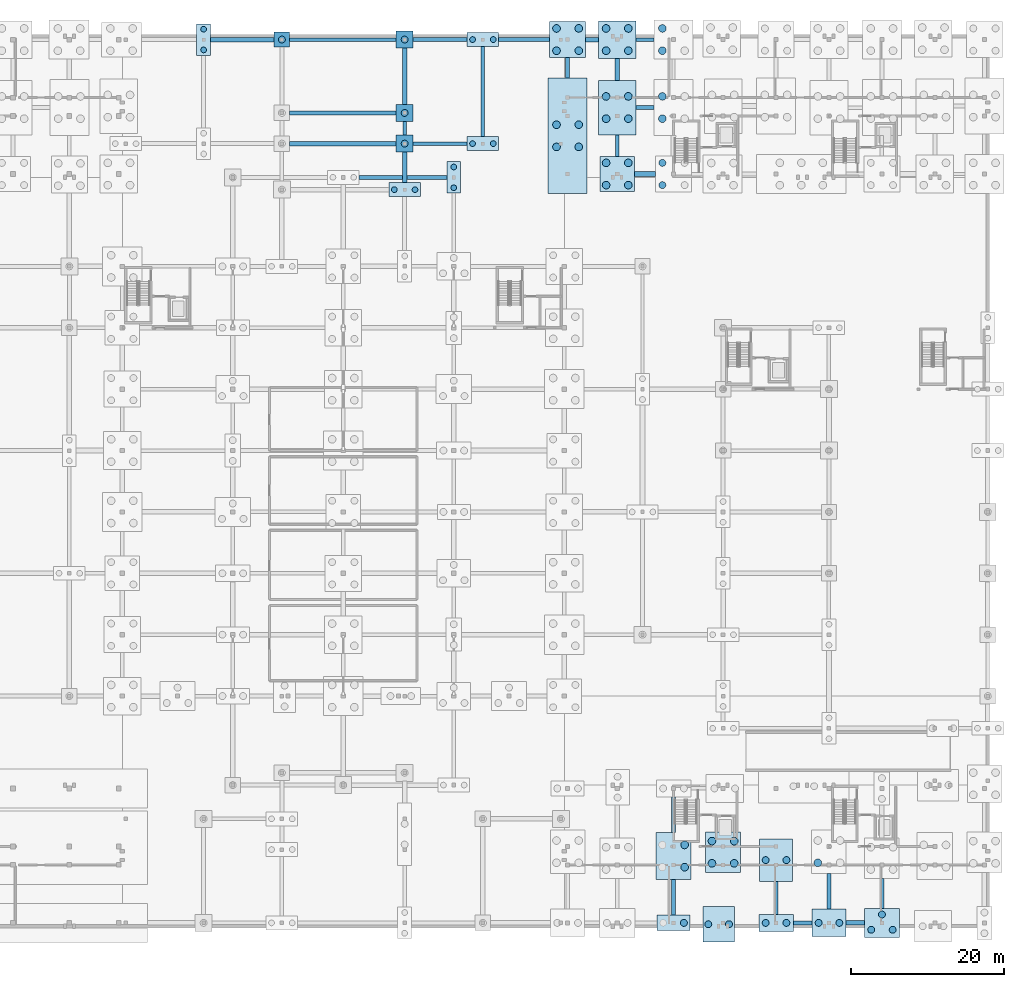
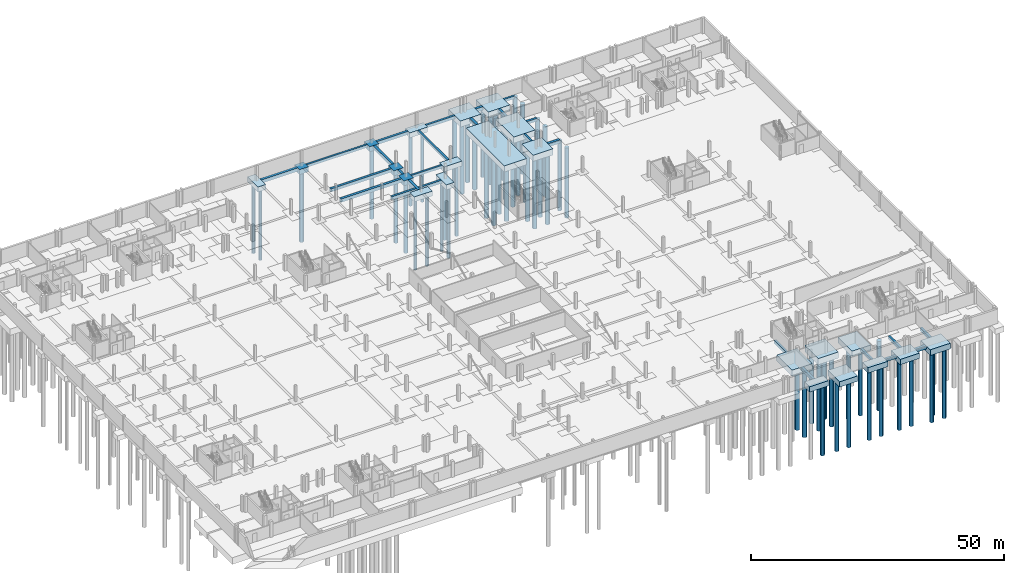
# One storey, part 8 of 38: 59 piles, 48 footings.
"""IFC4 building model written with IfcOpenShell, lengths in metres."""

from ifc_helpers import new_model, si_unit, direction, frame, origin, origin_2d, place, context, subcontext, project, spatial, rectangle, circle, extrude, material, material_profile, profile_set, type_object, element, save


model = new_model("IFC4")

# Units and contexts
model_context = context("Model", 3, precision=1e-05, world=origin(), true_north=direction((0.0, 1.0)))
body_context = subcontext(model_context, "Body", "Model", "MODEL_VIEW")
ifc_project = project(units=[si_unit("LENGTHUNIT", "METRE"), si_unit("AREAUNIT", "SQUARE_METRE"), si_unit("VOLUMEUNIT", "CUBIC_METRE"), si_unit("PLANEANGLEUNIT", "RADIAN"), si_unit("MASSUNIT", "GRAM", prefix="KILO")], contexts=[model_context])

# Site, building, storey
site_placement = place(None, origin())
site = spatial("IfcSite", under=ifc_project, at=site_placement, CompositionType="ELEMENT")
building_placement = place(site_placement, origin())
building = spatial("IfcBuilding", under=site, at=building_placement, Name="Zavelmont Quarter", CompositionType="ELEMENT")
storey_placement = place(building_placement, frame((0.0, 0.0, -3.800048828125)))
storey = spatial("IfcBuildingStorey", under=building, at=storey_placement, Name="B01", CompositionType="ELEMENT", Elevation=-3.800048828125)

# Footings
ifc_material = material(Name="Concrete C35/45", Category="concrete")
footing_type_1 = type_object("IfcFootingType", Name="GB01", PredefinedType="FOOTING_BEAM", material=ifc_material)
footing_1_placement = place(storey_placement, frame((143.875, 0.43994140625, -0.69970703125), z_axis=(0.0, 0.0, 1.0), x_axis=(1.0, 0.0, 0.0)))
element("IfcFooting", 1, at=footing_1_placement, inside=storey, type_object=footing_type_1, Name="B01 ground beam GB01 at 22/A", PredefinedType="FOOTING_BEAM", context=body_context, shape_type="SweptSolid", body=[
    extrude(rectangle(XDim=2.449951171875, YDim=0.5, at=origin_2d()), origin(), (0.0, 0.0, 1.0), 0.699951171875),
])
footing_2_placement = place(storey_placement, frame((91.77490234375, 97.60009765625, -0.69970703125), z_axis=(0.0, 0.0, 1.0), x_axis=(1.0, 0.0, 0.0)))
element("IfcFooting", 2, at=footing_2_placement, inside=storey, type_object=footing_type_1, Name="B01 ground beam GB01 at 14/P", PredefinedType="FOOTING_BEAM", context=body_context, shape_type="SweptSolid", body=[
    extrude(rectangle(XDim=11.449951171875, YDim=0.5, at=origin_2d()), origin(), (0.0, 0.0, 1.0), 0.699951171875),
])
footing_3_placement = place(storey_placement, frame((123.320068359375, 106.699951171875, -0.69970703125), z_axis=(0.0, 0.0, 1.0), x_axis=(1.0, 0.0, 0.0)))
element("IfcFooting", 3, at=footing_3_placement, inside=storey, type_object=footing_type_1, Name="B01 ground beam GB01 at 19/Q", PredefinedType="FOOTING_BEAM", context=body_context, shape_type="SweptSolid", body=[
    extrude(rectangle(XDim=2.340087890625, YDim=0.5, at=origin_2d()), origin(), (0.0, 0.0, 1.0), 0.699951171875),
])
footing_4_placement = place(storey_placement, frame((107.570068359375, 115.56005859375, -0.69970703125), z_axis=(0.0, 0.0, 1.0), x_axis=(1.0, 0.0, 0.0)))
element("IfcFooting", 4, at=footing_4_placement, inside=storey, type_object=footing_type_1, Name="B01 ground beam GB01 at 16/S", PredefinedType="FOOTING_BEAM", context=body_context, shape_type="SweptSolid", body=[
    extrude(rectangle(XDim=6.639892578125, YDim=0.5, at=origin_2d()), origin(), (0.0, 0.0, 1.0), 0.699951171875),
])
for number, where, z_axis, x_axis, name in (
    (5, (127.0400390625, 14.530029296875, -0.69970703125), (0.0, 0.0, 1.0), (0.0, 1.0, 0.0), "B01 ground beam GB01 at 19/D"),
    (6, (147.300048828125, 4.570068359375, -0.69970703125), (0.0, 0.0, 1.0), (0.0, 1.0, 0.0), "B01 ground beam GB01 at 22/B"),
):
    element("IfcFooting", number, at=place(storey_placement, frame(where, z_axis=z_axis, x_axis=x_axis)), inside=storey, type_object=footing_type_1, Name=name, PredefinedType="FOOTING_BEAM", context=body_context, shape_type="SweptSolid", body=[
        extrude(rectangle(XDim=4.659912109375, YDim=0.5, at=origin_2d()), origin(), (0.0, 0.0, 1.0), 0.699951171875),
    ])
footing_5_placement = place(storey_placement, frame((154.199951171875, 4.27001953125, -0.69970703125), z_axis=(0.0, 0.0, 1.0), x_axis=(0.0, 1.0, 0.0)))
element("IfcFooting", 7, at=footing_5_placement, inside=storey, type_object=footing_type_1, Name="B01 ground beam GB01 at 23/B", PredefinedType="FOOTING_BEAM", context=body_context, shape_type="SweptSolid", body=[
    extrude(rectangle(XDim=3.860107421875, YDim=0.5, at=origin_2d()), origin(), (0.0, 0.0, 1.0), 0.699951171875),
])
footing_type_2 = type_object("IfcFootingType", Name="GB02", PredefinedType="FOOTING_BEAM", material=ifc_material)
footing_6_placement = place(storey_placement, frame((150.699951171875, 0.43994140625, -0.7998046875), z_axis=(0.0, 0.0, 1.0), x_axis=(1.0, 0.0, 0.0)))
element("IfcFooting", 8, at=footing_6_placement, inside=storey, type_object=footing_type_2, Name="B01 ground beam GB02 at 22/A", PredefinedType="FOOTING_BEAM", context=body_context, shape_type="SweptSolid", body=[
    extrude(rectangle(XDim=2.39990234375, YDim=0.60009765625, at=origin_2d()), origin(), (0.0, 0.0, 1.0), 0.800048828125),
])
footing_7_placement = place(storey_placement, frame((123.320068359375, 98.0400390625, -0.7998046875), z_axis=(0.0, 0.0, 1.0), x_axis=(1.0, 0.0, 0.0)))
element("IfcFooting", 9, at=footing_7_placement, inside=storey, type_object=footing_type_2, Name="B01 ground beam GB02 at 19/P", PredefinedType="FOOTING_BEAM", context=body_context, shape_type="SweptSolid", body=[
    extrude(rectangle(XDim=2.739990234375, YDim=0.60009765625, at=origin_2d()), origin(), (0.0, 0.0, 1.0), 0.800048828125),
])
footing_8_placement = place(storey_placement, frame((83.949951171875, 102.0, -0.7998046875), z_axis=(0.0, 0.0, 1.0), x_axis=(1.0, 0.0, 0.0)))
element("IfcFooting", 10, at=footing_8_placement, inside=storey, type_object=footing_type_2, Name="B01 ground beam GB02 at 13/Q", PredefinedType="FOOTING_BEAM", context=body_context, shape_type="SweptSolid", body=[
    extrude(rectangle(XDim=13.89990234375, YDim=0.60009765625, at=origin_2d()), origin(), (0.0, 0.0, 1.0), 0.800048828125),
])
footing_9_placement = place(storey_placement, frame((70.85009765625, 115.56005859375, -0.7998046875), z_axis=(0.0, 0.0, 1.0), x_axis=(1.0, 0.0, 0.0)))
element("IfcFooting", 11, at=footing_9_placement, inside=storey, type_object=footing_type_2, Name="B01 ground beam GB02 at 11/S", PredefinedType="FOOTING_BEAM", context=body_context, shape_type="SweptSolid", body=[
    extrude(rectangle(XDim=8.300048828125, YDim=0.60009765625, at=origin_2d()), origin(), (0.0, 0.0, 1.0), 0.800048828125),
])
footing_10_placement = place(storey_placement, frame((116.419921875, 115.56005859375, -0.7998046875), z_axis=(0.0, 0.0, 1.0), x_axis=(1.0, 0.0, 0.0)))
element("IfcFooting", 12, at=footing_10_placement, inside=storey, type_object=footing_type_2, Name="B01 ground beam GB02 at 18/S", PredefinedType="FOOTING_BEAM", context=body_context, shape_type="SweptSolid", body=[
    extrude(rectangle(XDim=1.659912109375, YDim=0.60009765625, at=origin_2d()), origin(), (0.0, 0.0, 1.0), 0.800048828125),
])
footing_11_placement = place(storey_placement, frame((92.0, 98.89990234375, -0.7998046875), z_axis=(0.0, 0.0, 1.0), x_axis=(0.0, 1.0, 0.0)))
element("IfcFooting", 13, at=footing_11_placement, inside=storey, type_object=footing_type_2, Name="B01 ground beam GB02 at 14/P", PredefinedType="FOOTING_BEAM", context=body_context, shape_type="SweptSolid", body=[
    extrude(rectangle(XDim=4.0, YDim=0.60009765625, at=origin_2d()), origin(), (0.0, 0.0, 1.0), 0.800048828125),
])
footing_type_3 = type_object("IfcFootingType", Name="GB03", PredefinedType="FOOTING_BEAM", material=ifc_material)
footing_12_placement = place(storey_placement, frame((96.625, 102.0, -0.64990234375), z_axis=(0.0, 0.0, 1.0), x_axis=(1.0, 0.0, 0.0)))
element("IfcFooting", 14, at=footing_12_placement, inside=storey, type_object=footing_type_3, Name="B01 ground beam GB03 at 15/Q", PredefinedType="FOOTING_BEAM", context=body_context, shape_type="SweptSolid", body=[
    extrude(rectangle(XDim=7.050048828125, YDim=0.449951171875, at=origin_2d()), origin(), (0.0, 0.0, 1.0), 0.64990234375),
])
footing_13_placement = place(storey_placement, frame((83.949951171875, 115.56005859375, -0.64990234375), z_axis=(0.0, 0.0, 1.0), x_axis=(1.0, 0.0, 0.0)))
element("IfcFooting", 15, at=footing_13_placement, inside=storey, type_object=footing_type_3, Name="B01 ground beam GB03 at 13/S", PredefinedType="FOOTING_BEAM", context=body_context, shape_type="SweptSolid", body=[
    extrude(rectangle(XDim=13.89990234375, YDim=0.449951171875, at=origin_2d()), origin(), (0.0, 0.0, 1.0), 0.64990234375),
])
footing_14_placement = place(storey_placement, frame((123.320068359375, 115.56005859375, -0.64990234375), z_axis=(0.0, 0.0, 1.0), x_axis=(1.0, 0.0, 0.0)))
element("IfcFooting", 16, at=footing_14_placement, inside=storey, type_object=footing_type_3, Name="B01 ground beam GB03 at 19/S", PredefinedType="FOOTING_BEAM", context=body_context, shape_type="SweptSolid", body=[
    extrude(rectangle(XDim=2.340087890625, YDim=0.449951171875, at=origin_2d()), origin(), (0.0, 0.0, 1.0), 0.64990234375),
])
footing_15_placement = place(storey_placement, frame((92.0, 104.0, -0.64990234375), z_axis=(0.0, 0.0, 1.0), x_axis=(0.0, 1.0, 0.0)))
element("IfcFooting", 17, at=footing_15_placement, inside=storey, type_object=footing_type_3, Name="B01 ground beam GB03 at 14/Q", PredefinedType="FOOTING_BEAM", context=body_context, shape_type="SweptSolid", body=[
    extrude(rectangle(XDim=1.800048828125, YDim=0.449951171875, at=origin_2d()), origin(), (0.0, 0.0, 1.0), 0.64990234375),
])
footing_16_placement = place(storey_placement, frame((102.199951171875, 108.780029296875, -0.64990234375), z_axis=(0.0, 0.0, 1.0), x_axis=(0.0, 1.0, 0.0)))
element("IfcFooting", 18, at=footing_16_placement, inside=storey, type_object=footing_type_3, Name="B01 ground beam GB03 at 16/R", PredefinedType="FOOTING_BEAM", context=body_context, shape_type="SweptSolid", body=[
    extrude(rectangle(XDim=11.760009765625, YDim=0.449951171875, at=origin_2d()), origin(), (0.0, 0.0, 1.0), 0.64990234375),
])
footing_17_placement = place(storey_placement, frame((119.699951171875, 101.719970703125, -0.64990234375), z_axis=(0.0, 0.0, 1.0), x_axis=(0.0, 1.0, 0.0)))
element("IfcFooting", 19, at=footing_17_placement, inside=storey, type_object=footing_type_3, Name="B01 ground beam GB03 at 18/Q", PredefinedType="FOOTING_BEAM", context=body_context, shape_type="SweptSolid", body=[
    extrude(rectangle(XDim=2.860107421875, YDim=0.449951171875, at=origin_2d()), origin(), (0.0, 0.0, 1.0), 0.64990234375),
])
footing_18_placement = place(storey_placement, frame((140.39990234375, 3.695068359375, -0.64990234375), z_axis=(0.0, 0.0, 1.0), x_axis=(0.0, 1.0, 0.0)))
element("IfcFooting", 20, at=footing_18_placement, inside=storey, type_object=footing_type_3, Name="B01 ground beam GB03 at 21/A", PredefinedType="FOOTING_BEAM", context=body_context, shape_type="SweptSolid", body=[
    extrude(rectangle(XDim=4.31005859375, YDim=0.449951171875, at=origin_2d()), origin(), (0.0, 0.0, 1.0), 0.64990234375),
])
footing_type_4 = type_object("IfcFootingType", Name="GB04", PredefinedType="FOOTING_BEAM", material=ifc_material)
footing_19_placement = place(storey_placement, frame((83.949951171875, 106.0, -0.75), z_axis=(0.0, 0.0, 1.0), x_axis=(1.0, 0.0, 0.0)))
element("IfcFooting", 21, at=footing_19_placement, inside=storey, type_object=footing_type_4, Name="B01 ground beam GB04 at 13/Q", PredefinedType="FOOTING_BEAM", context=body_context, shape_type="SweptSolid", body=[
    extrude(rectangle(XDim=13.89990234375, YDim=0.550048828125, at=origin_2d()), origin(), (0.0, 0.0, 1.0), 0.75),
])
footing_20_placement = place(storey_placement, frame((96.625, 115.56005859375, -0.75), z_axis=(0.0, 0.0, 1.0), x_axis=(1.0, 0.0, 0.0)))
element("IfcFooting", 22, at=footing_20_placement, inside=storey, type_object=footing_type_4, Name="B01 ground beam GB04 at 15/S", PredefinedType="FOOTING_BEAM", context=body_context, shape_type="SweptSolid", body=[
    extrude(rectangle(XDim=7.050048828125, YDim=0.550048828125, at=origin_2d()), origin(), (0.0, 0.0, 1.0), 0.75),
])
footing_21_placement = place(storey_placement, frame((92.0, 110.780029296875, -0.75), z_axis=(0.0, 0.0, 1.0), x_axis=(0.0, 1.0, 0.0)))
element("IfcFooting", 23, at=footing_21_placement, inside=storey, type_object=footing_type_4, Name="B01 ground beam GB04 at 14/R", PredefinedType="FOOTING_BEAM", context=body_context, shape_type="SweptSolid", body=[
    extrude(rectangle(XDim=7.360107421875, YDim=0.550048828125, at=origin_2d()), origin(), (0.0, 0.0, 1.0), 0.75),
])
footing_22_placement = place(storey_placement, frame((113.239990234375, 111.8798828125, -0.75), z_axis=(0.0, 0.0, 1.0), x_axis=(0.0, 1.0, 0.0)))
element("IfcFooting", 24, at=footing_22_placement, inside=storey, type_object=footing_type_4, Name="B01 ground beam GB04 at 17/R", PredefinedType="FOOTING_BEAM", context=body_context, shape_type="SweptSolid", body=[
    extrude(rectangle(XDim=2.659912109375, YDim=0.550048828125, at=origin_2d()), origin(), (0.0, 0.0, 1.0), 0.75),
])
footing_23_placement = place(storey_placement, frame((119.699951171875, 111.679931640625, -0.75), z_axis=(0.0, 0.0, 1.0), x_axis=(0.0, 1.0, 0.0)))
element("IfcFooting", 25, at=footing_23_placement, inside=storey, type_object=footing_type_4, Name="B01 ground beam GB04 at 18/R", PredefinedType="FOOTING_BEAM", context=body_context, shape_type="SweptSolid", body=[
    extrude(rectangle(XDim=2.860107421875, YDim=0.550048828125, at=origin_2d()), origin(), (0.0, 0.0, 1.0), 0.75),
])
footing_24_placement = place(storey_placement, frame((127.0400390625, 3.77001953125, -0.75), z_axis=(0.0, 0.0, 1.0), x_axis=(0.0, 1.0, 0.0)))
element("IfcFooting", 26, at=footing_24_placement, inside=storey, type_object=footing_type_4, Name="B01 ground beam GB04 at 19/A", PredefinedType="FOOTING_BEAM", context=body_context, shape_type="SweptSolid", body=[
    extrude(rectangle(XDim=4.659912109375, YDim=0.550048828125, at=origin_2d()), origin(), (0.0, 0.0, 1.0), 0.75),
])

# Piles
ifc_material_profile_1 = material_profile(ifc_material, circle(Radius=0.5, at=origin_2d()), Name="BP1000")
ifc_profile_set_1 = profile_set([ifc_material_profile_1], Name="Concrete C35/45")
pile_type_1 = type_object("IfcPileType", Name="P01", PredefinedType="BORED", material=ifc_profile_set_1)
for number, where, z_axis, x_axis, name in (
    (27, (128.489990234375, 7.699951171875, -1.39990234375), (0.0, 0.0, -1.0), (1.0, 0.0, 0.0), "B01 bored pile P01 under CAP-018.2"),
    (28, (128.489990234375, 10.60009765625, -1.39990234375), (0.0, 0.0, -1.0), (1.0, 0.0, 0.0), "B01 bored pile P01 under CAP-018.3"),
    (29, (132.050048828125, 8.199951171875, -1.39990234375), (0.0, 0.0, -1.0), (1.0, 0.0, 0.0), "B01 bored pile P01 under CAP-020.1"),
    (30, (134.949951171875, 8.199951171875, -1.39990234375), (0.0, 0.0, -1.0), (1.0, 0.0, 0.0), "B01 bored pile P01 under CAP-020.2"),
    (31, (134.949951171875, 11.10009765625, -1.39990234375), (0.0, 0.0, -1.0), (1.0, 0.0, 0.0), "B01 bored pile P01 under CAP-020.3"),
    (32, (132.050048828125, 11.10009765625, -1.39990234375), (0.0, 0.0, -1.0), (1.0, 0.0, 0.0), "B01 bored pile P01 under CAP-020.4"),
    (33, (145.85009765625, 8.27490234375, -1.39990234375), (0.0, 0.0, -1.0), (1.0, 0.0, 0.0), "B01 bored pile P01 under CAP-023.1"),
    (34, (118.25, 96.590087890625, -1.39990234375), (0.0, 0.0, -1.0), (1.0, 0.0, 0.0), "B01 bored pile P01 under CAP-175.1"),
    (35, (121.14990234375, 96.590087890625, -1.39990234375), (0.0, 0.0, -1.0), (1.0, 0.0, 0.0), "B01 bored pile P01 under CAP-175.2"),
    (36, (121.14990234375, 99.489990234375, -1.39990234375), (0.0, 0.0, -1.0), (1.0, 0.0, 0.0), "B01 bored pile P01 under CAP-175.3"),
    (37, (118.25, 99.489990234375, -1.39990234375), (0.0, 0.0, -1.0), (1.0, 0.0, 0.0), "B01 bored pile P01 under CAP-175.4"),
    (38, (111.7900390625, 101.570068359375, -1.39990234375), (0.0, 0.0, -1.0), (1.0, 0.0, 0.0), "B01 bored pile P01 under CAP-186.1"),
    (39, (114.68994140625, 101.570068359375, -1.39990234375), (0.0, 0.0, -1.0), (1.0, 0.0, 0.0), "B01 bored pile P01 under CAP-186.2"),
    (40, (114.68994140625, 104.469970703125, -1.39990234375), (0.0, 0.0, -1.0), (1.0, 0.0, 0.0), "B01 bored pile P01 under CAP-186.3"),
    (41, (111.7900390625, 104.469970703125, -1.39990234375), (0.0, 0.0, -1.0), (1.0, 0.0, 0.0), "B01 bored pile P01 under CAP-186.4"),
    (42, (118.25, 105.25, -1.39990234375), (0.0, 0.0, -1.0), (1.0, 0.0, 0.0), "B01 bored pile P01 under CAP-193.1"),
    (43, (121.14990234375, 105.25, -1.39990234375), (0.0, 0.0, -1.0), (1.0, 0.0, 0.0), "B01 bored pile P01 under CAP-193.2"),
    (44, (121.14990234375, 108.14990234375, -1.39990234375), (0.0, 0.0, -1.0), (1.0, 0.0, 0.0), "B01 bored pile P01 under CAP-193.3"),
    (45, (118.25, 108.14990234375, -1.39990234375), (0.0, 0.0, -1.0), (1.0, 0.0, 0.0), "B01 bored pile P01 under CAP-193.4"),
    (46, (125.590087890625, 105.25, -1.39990234375), (0.0, 0.0, -1.0), (1.0, 0.0, 0.0), "B01 bored pile P01 under CAP-194.1"),
    (47, (125.590087890625, 108.14990234375, -1.39990234375), (0.0, 0.0, -1.0), (1.0, 0.0, 0.0), "B01 bored pile P01 under CAP-194.4"),
    (48, (111.7900390625, 114.110107421875, -1.39990234375), (0.0, 0.0, -1.0), (1.0, 0.0, 0.0), "B01 bored pile P01 under CAP-219.1"),
    (49, (114.68994140625, 114.110107421875, -1.39990234375), (0.0, 0.0, -1.0), (1.0, 0.0, 0.0), "B01 bored pile P01 under CAP-219.2"),
    (50, (114.68994140625, 117.010009765625, -1.39990234375), (0.0, 0.0, -1.0), (1.0, 0.0, 0.0), "B01 bored pile P01 under CAP-219.3"),
    (51, (111.7900390625, 117.010009765625, -1.39990234375), (0.0, 0.0, -1.0), (1.0, 0.0, 0.0), "B01 bored pile P01 under CAP-219.4"),
    (52, (118.25, 114.110107421875, -1.39990234375), (0.0, 0.0, -1.0), (1.0, 0.0, 0.0), "B01 bored pile P01 under CAP-220.1"),
    (53, (121.14990234375, 114.110107421875, -1.39990234375), (0.0, 0.0, -1.0), (1.0, 0.0, 0.0), "B01 bored pile P01 under CAP-220.2"),
    (54, (121.14990234375, 117.010009765625, -1.39990234375), (0.0, 0.0, -1.0), (1.0, 0.0, 0.0), "B01 bored pile P01 under CAP-220.3"),
    (55, (118.25, 117.010009765625, -1.39990234375), (0.0, 0.0, -1.0), (1.0, 0.0, 0.0), "B01 bored pile P01 under CAP-220.4"),
    (56, (125.590087890625, 114.110107421875, -1.39990234375), (0.0, 0.0, -1.0), (1.0, 0.0, 0.0), "B01 bored pile P01 under CAP-221.1"),
    (57, (125.590087890625, 117.010009765625, -1.39990234375), (0.0, 0.0, -1.0), (1.0, 0.0, 0.0), "B01 bored pile P01 under CAP-221.4"),
):
    element("IfcPile", number, at=place(storey_placement, frame(where, z_axis=z_axis, x_axis=x_axis)), inside=storey, type_object=pile_type_1, Name=name, PredefinedType="BORED", context=body_context, shape_type="SweptSolid", body=[
        extrude(circle(Radius=0.5, at=origin_2d()), origin(), (0.0, 0.0, 1.0), 16.800048828125),
    ])
ifc_material_profile_2 = material_profile(ifc_material, circle(Radius=0.449951171875, at=origin_2d()), Name="BP900")
ifc_profile_set_2 = profile_set([ifc_material_profile_2], Name="Concrete C35/45")
pile_type_2 = type_object("IfcPileType", Name="P02", PredefinedType="BORED", material=ifc_profile_set_2)
for number, where, z_axis, x_axis, name in (
    (58, (152.800048828125, -0.4599609375, -1.300048828125), (0.0, 0.0, -1.0), (1.0, 0.0, 0.0), "B01 bored pile P02 under CAP-013.1"),
    (59, (155.60009765625, -0.4599609375, -1.300048828125), (0.0, 0.0, -1.0), (1.0, 0.0, 0.0), "B01 bored pile P02 under CAP-013.2"),
    (60, (154.199951171875, 1.5400390625, -1.300048828125), (0.0, 0.0, -1.0), (1.0, 0.0, 0.0), "B01 bored pile P02 under CAP-013.3"),
    (61, (125.590087890625, 96.590087890625, -1.300048828125), (0.0, 0.0, -1.0), (1.0, 0.0, 0.0), "B01 bored pile P02 under CAP-176.1"),
    (62, (125.590087890625, 99.489990234375, -1.300048828125), (0.0, 0.0, -1.0), (1.0, 0.0, 0.0), "B01 bored pile P02 under CAP-176.4"),
):
    element("IfcPile", number, at=place(storey_placement, frame(where, z_axis=z_axis, x_axis=x_axis)), inside=storey, type_object=pile_type_2, Name=name, PredefinedType="BORED", context=body_context, shape_type="SweptSolid", body=[
        extrude(circle(Radius=0.449951171875, at=origin_2d()), origin(), (0.0, 0.0, 1.0), 16.89990234375),
    ])
ifc_material_profile_3 = material_profile(ifc_material, circle(Radius=0.449951171875, at=origin_2d()), Name="BP900")
ifc_profile_set_3 = profile_set([ifc_material_profile_3], Name="Concrete C35/45")
pile_type_3 = type_object("IfcPileType", Name="P03", PredefinedType="BORED", material=ifc_profile_set_3)
for number, where, z_axis, x_axis, name in (
    (63, (131.574951171875, 0.27001953125, -1.199951171875), (0.0, 0.0, -1.0), (1.0, 0.0, 0.0), "B01 bored pile P03 under CAP-002.1"),
    (64, (134.27490234375, 0.27001953125, -1.199951171875), (0.0, 0.0, -1.0), (1.0, 0.0, 0.0), "B01 bored pile P03 under CAP-002.2"),
    (65, (128.389892578125, 0.43994140625, -1.199951171875), (0.0, 0.0, -1.0), (1.0, 0.0, 0.0), "B01 bored pile P03 under CAP-010.2"),
    (66, (139.050048828125, 0.43994140625, -1.199951171875), (0.0, 0.0, -1.0), (1.0, 0.0, 0.0), "B01 bored pile P03 under CAP-011.1"),
    (67, (141.75, 0.43994140625, -1.199951171875), (0.0, 0.0, -1.0), (1.0, 0.0, 0.0), "B01 bored pile P03 under CAP-011.2"),
    (68, (145.949951171875, 0.43994140625, -1.199951171875), (0.0, 0.0, -1.0), (1.0, 0.0, 0.0), "B01 bored pile P03 under CAP-012.1"),
    (69, (148.64990234375, 0.43994140625, -1.199951171875), (0.0, 0.0, -1.0), (1.0, 0.0, 0.0), "B01 bored pile P03 under CAP-012.2"),
    (70, (139.050048828125, 8.625, -1.199951171875), (0.0, 0.0, -1.0), (1.0, 0.0, 0.0), "B01 bored pile P03 under CAP-015.1"),
    (71, (141.75, 8.625, -1.199951171875), (0.0, 0.0, -1.0), (1.0, 0.0, 0.0), "B01 bored pile P03 under CAP-015.2"),
):
    element("IfcPile", number, at=place(storey_placement, frame(where, z_axis=z_axis, x_axis=x_axis)), inside=storey, type_object=pile_type_3, Name=name, PredefinedType="BORED", context=body_context, shape_type="SweptSolid", body=[
        extrude(circle(Radius=0.449951171875, at=origin_2d()), origin(), (0.0, 0.0, 1.0), 17.0),
    ])
ifc_material_profile_4 = material_profile(ifc_material, circle(Radius=0.449951171875, at=origin_2d()), Name="BP900")
ifc_profile_set_4 = profile_set([ifc_material_profile_4], Name="Concrete C35/45")
pile_type_4 = type_object("IfcPileType", Name="P04", PredefinedType="BORED", material=ifc_profile_set_4)
for number, where, z_axis, x_axis, name in (
    (72, (92.0, 102.0, -1.099853515625), (0.0, 0.0, -1.0), (1.0, 0.0, 0.0), "B01 bored pile P04 under CAP-184.1"),
    (73, (92.0, 106.0, -1.099853515625), (0.0, 0.0, -1.0), (1.0, 0.0, 0.0), "B01 bored pile P04 under CAP-188.1"),
    (74, (76.0, 115.56005859375, -1.099853515625), (0.0, 0.0, -1.0), (1.0, 0.0, 0.0), "B01 bored pile P04 under CAP-216.1"),
    (75, (92.0, 115.56005859375, -1.099853515625), (0.0, 0.0, -1.0), (1.0, 0.0, 0.0), "B01 bored pile P04 under CAP-217.1"),
):
    element("IfcPile", number, at=place(storey_placement, frame(where, z_axis=z_axis, x_axis=x_axis)), inside=storey, type_object=pile_type_4, Name=name, PredefinedType="BORED", context=body_context, shape_type="SweptSolid", body=[
        extrude(circle(Radius=0.449951171875, at=origin_2d()), origin(), (0.0, 0.0, 1.0), 17.10009765625),
    ])
ifc_material_profile_5 = material_profile(ifc_material, circle(Radius=0.375, at=origin_2d()), Name="BP750")
ifc_profile_set_5 = profile_set([ifc_material_profile_5], Name="Concrete C35/45")
pile_type_5 = type_object("IfcPileType", Name="P05", PredefinedType="BORED", material=ifc_profile_set_5)
for number, where, z_axis, x_axis, name in (
    (76, (90.64990234375, 96.0, -1.099853515625), (0.0, 0.0, -1.0), (1.0, 0.0, 0.0), "B01 bored pile P05 under CAP-162.1"),
    (77, (93.35009765625, 96.0, -1.099853515625), (0.0, 0.0, -1.0), (1.0, 0.0, 0.0), "B01 bored pile P05 under CAP-162.2"),
    (78, (98.39990234375, 96.25, -1.099853515625), (0.0, 0.0, -1.0), (1.0, 0.0, 0.0), "B01 bored pile P05 under CAP-165.1"),
    (79, (98.39990234375, 98.949951171875, -1.099853515625), (0.0, 0.0, -1.0), (1.0, 0.0, 0.0), "B01 bored pile P05 under CAP-165.2"),
    (80, (100.85009765625, 102.0, -1.099853515625), (0.0, 0.0, -1.0), (1.0, 0.0, 0.0), "B01 bored pile P05 under CAP-185.1"),
    (81, (103.550048828125, 102.0, -1.099853515625), (0.0, 0.0, -1.0), (1.0, 0.0, 0.0), "B01 bored pile P05 under CAP-185.2"),
    (82, (65.800048828125, 114.2099609375, -1.099853515625), (0.0, 0.0, -1.0), (1.0, 0.0, 0.0), "B01 bored pile P05 under CAP-215.1"),
    (83, (65.800048828125, 116.909912109375, -1.099853515625), (0.0, 0.0, -1.0), (1.0, 0.0, 0.0), "B01 bored pile P05 under CAP-215.2"),
    (84, (100.85009765625, 115.56005859375, -1.099853515625), (0.0, 0.0, -1.0), (1.0, 0.0, 0.0), "B01 bored pile P05 under CAP-218.1"),
    (85, (103.550048828125, 115.56005859375, -1.099853515625), (0.0, 0.0, -1.0), (1.0, 0.0, 0.0), "B01 bored pile P05 under CAP-218.2"),
):
    element("IfcPile", number, at=place(storey_placement, frame(where, z_axis=z_axis, x_axis=x_axis)), inside=storey, type_object=pile_type_5, Name=name, PredefinedType="BORED", context=body_context, shape_type="SweptSolid", body=[
        extrude(circle(Radius=0.375, at=origin_2d()), origin(), (0.0, 0.0, 1.0), 17.10009765625),
    ])

# Footings
footing_type_5 = type_object("IfcFootingType", Name="PC03", PredefinedType="PILE_CAP", material=ifc_material)
footing_25_placement = place(storey_placement, frame((76.0, 115.56005859375, -1.19970703125), z_axis=(0.0, 0.0, 1.0), x_axis=(1.0, 0.0, 0.0)))
element("IfcFooting", 86, at=footing_25_placement, inside=storey, type_object=footing_type_5, Name="B01 pile cap PC03 at 12/S", PredefinedType="PILE_CAP", context=body_context, shape_type="SweptSolid", body=[
    extrude(rectangle(XDim=2.0, YDim=2.0, at=origin_2d()), origin(), (0.0, 0.0, 1.0), 1.199951171875),
])
footing_type_6 = type_object("IfcFootingType", Name="PC04", PredefinedType="PILE_CAP", material=ifc_material)
for number, where, z_axis, x_axis, name in (
    (87, (92.0, 102.0, -1.19970703125), (0.0, 0.0, 1.0), (1.0, 0.0, 0.0), "B01 pile cap PC04 at 14/Q"),
    (88, (92.0, 106.0, -1.19970703125), (0.0, 0.0, 1.0), (1.0, 0.0, 0.0), "B01 pile cap PC04 at 14/Q"),
    (89, (92.0, 115.56005859375, -1.19970703125), (0.0, 0.0, 1.0), (1.0, 0.0, 0.0), "B01 pile cap PC04 at 14/S"),
):
    element("IfcFooting", number, at=place(storey_placement, frame(where, z_axis=z_axis, x_axis=x_axis)), inside=storey, type_object=footing_type_6, Name=name, PredefinedType="PILE_CAP", context=body_context, shape_type="SweptSolid", body=[
        extrude(rectangle(XDim=2.199951171875, YDim=2.199951171875, at=origin_2d()), origin(), (0.0, 0.0, 1.0), 1.199951171875),
    ])
footing_type_7 = type_object("IfcFootingType", Name="PC05", PredefinedType="PILE_CAP", material=ifc_material)
for number, where, z_axis, x_axis, name in (
    (90, (92.0, 96.0, -1.19970703125), (0.0, 0.0, 1.0), (1.0, 0.0, 0.0), "B01 pile cap PC05 at 14/P"),
    (91, (102.199951171875, 102.0, -1.19970703125), (0.0, 0.0, 1.0), (1.0, 0.0, 0.0), "B01 pile cap PC05 at 16/Q"),
    (92, (102.199951171875, 115.56005859375, -1.19970703125), (0.0, 0.0, 1.0), (1.0, 0.0, 0.0), "B01 pile cap PC05 at 16/S"),
):
    element("IfcFooting", number, at=place(storey_placement, frame(where, z_axis=z_axis, x_axis=x_axis)), inside=storey, type_object=footing_type_7, Name=name, PredefinedType="PILE_CAP", context=body_context, shape_type="SweptSolid", body=[
        extrude(rectangle(XDim=4.10009765625, YDim=1.800048828125, at=origin_2d()), origin(), (0.0, 0.0, 1.0), 1.199951171875),
    ])
footing_type_8 = type_object("IfcFootingType", Name="PC06", PredefinedType="PILE_CAP", material=ifc_material)
for number, where, z_axis, x_axis, name in (
    (93, (98.39990234375, 97.60009765625, -1.19970703125), (0.0, 0.0, 1.0), (1.0, 0.0, 0.0), "B01 pile cap PC06 at 15/P"),
    (94, (65.800048828125, 115.56005859375, -1.19970703125), (0.0, 0.0, 1.0), (1.0, 0.0, 0.0), "B01 pile cap PC06 at 10/S"),
):
    element("IfcFooting", number, at=place(storey_placement, frame(where, z_axis=z_axis, x_axis=x_axis)), inside=storey, type_object=footing_type_8, Name=name, PredefinedType="PILE_CAP", context=body_context, shape_type="SweptSolid", body=[
        extrude(rectangle(XDim=1.800048828125, YDim=4.10009765625, at=origin_2d()), origin(), (0.0, 0.0, 1.0), 1.199951171875),
    ])
footing_type_9 = type_object("IfcFootingType", Name="PC07", PredefinedType="PILE_CAP", material=ifc_material)
footing_26_placement = place(storey_placement, frame((127.0400390625, 0.43994140625, -1.2998046875), z_axis=(0.0, 0.0, 1.0), x_axis=(1.0, 0.0, 0.0)))
element("IfcFooting", 95, at=footing_26_placement, inside=storey, type_object=footing_type_9, Name="B01 pile cap PC07 at 19/A", PredefinedType="PILE_CAP", context=body_context, shape_type="SweptSolid", body=[
    extrude(rectangle(XDim=4.300048828125, YDim=2.0, at=origin_2d()), origin(), (0.0, 0.0, 1.0), 1.300048828125),
])
footing_type_10 = type_object("IfcFootingType", Name="PC09", PredefinedType="PILE_CAP", material=ifc_material)
footing_27_placement = place(storey_placement, frame((140.39990234375, 0.43994140625, -1.2998046875), z_axis=(0.0, 0.0, 1.0), x_axis=(1.0, 0.0, 0.0)))
element("IfcFooting", 96, at=footing_27_placement, inside=storey, type_object=footing_type_10, Name="B01 pile cap PC09 at 21/A", PredefinedType="PILE_CAP", context=body_context, shape_type="SweptSolid", body=[
    extrude(rectangle(XDim=4.5, YDim=2.199951171875, at=origin_2d()), origin(), (0.0, 0.0, 1.0), 1.300048828125),
])
footing_type_11 = type_object("IfcFootingType", Name="PC11", PredefinedType="PILE_CAP", material=ifc_material)
footing_28_placement = place(storey_placement, frame((154.199951171875, 0.43994140625, -1.39990234375), z_axis=(0.0, 0.0, 1.0), x_axis=(1.0, 0.0, 0.0)))
element("IfcFooting", 97, at=footing_28_placement, inside=storey, type_object=footing_type_11, Name="B01 pile cap PC11 at 23/A", PredefinedType="PILE_CAP", context=body_context, shape_type="SweptSolid", body=[
    extrude(rectangle(XDim=4.60009765625, YDim=3.800048828125, at=origin_2d()), origin(), (0.0, 0.0, 1.0), 1.39990234375),
])
footing_type_12 = type_object("IfcFootingType", Name="PCC411X464", PredefinedType="PILE_CAP", material=ifc_material)
footing_29_placement = place(storey_placement, frame((132.925048828125, 0.27001953125, -1.2998046875), z_axis=(0.0, 0.0, 1.0), x_axis=(1.0, 0.0, 0.0)))
element("IfcFooting", 98, at=footing_29_placement, inside=storey, type_object=footing_type_12, Name="B01 pile cap PCC411X464 at 20/A", PredefinedType="PILE_CAP", context=body_context, shape_type="SweptSolid", body=[
    extrude(rectangle(XDim=4.110107421875, YDim=4.639892578125, at=origin_2d()), origin(), (0.0, 0.0, 1.0), 1.300048828125),
])
footing_type_13 = type_object("IfcFootingType", Name="PCC430X555", PredefinedType="PILE_CAP", material=ifc_material)
footing_30_placement = place(storey_placement, frame((140.39990234375, 8.625, -1.2998046875), z_axis=(0.0, 0.0, 1.0), x_axis=(1.0, 0.0, 0.0)))
element("IfcFooting", 99, at=footing_30_placement, inside=storey, type_object=footing_type_13, Name="B01 pile cap PCC430X555 at 21/B", PredefinedType="PILE_CAP", context=body_context, shape_type="SweptSolid", body=[
    extrude(rectangle(XDim=4.300048828125, YDim=5.550048828125, at=origin_2d()), origin(), (0.0, 0.0, 1.0), 1.300048828125),
])
footing_type_14 = type_object("IfcFootingType", Name="PCC440X360", PredefinedType="PILE_CAP", material=ifc_material)
footing_31_placement = place(storey_placement, frame((147.300048828125, 0.43994140625, -1.2998046875), z_axis=(0.0, 0.0, 1.0), x_axis=(1.0, 0.0, 0.0)))
element("IfcFooting", 100, at=footing_31_placement, inside=storey, type_object=footing_type_14, Name="B01 pile cap PCC440X360 at 22/A", PredefinedType="PILE_CAP", context=body_context, shape_type="SweptSolid", body=[
    extrude(rectangle(XDim=4.39990234375, YDim=3.60009765625, at=origin_2d()), origin(), (0.0, 0.0, 1.0), 1.300048828125),
])
footing_type_15 = type_object("IfcFootingType", Name="PCC450X450", PredefinedType="PILE_CAP", material=ifc_material)
footing_32_placement = place(storey_placement, frame((119.699951171875, 98.0400390625, -1.5), z_axis=(0.0, 0.0, 1.0), x_axis=(1.0, 0.0, 0.0)))
element("IfcFooting", 101, at=footing_32_placement, inside=storey, type_object=footing_type_15, Name="B01 pile cap PCC450X450 at 18/P", PredefinedType="PILE_CAP", context=body_context, shape_type="SweptSolid", body=[
    extrude(rectangle(XDim=4.5, YDim=4.5, at=origin_2d()), origin(), (0.0, 0.0, 1.0), 1.5),
])
footing_type_16 = type_object("IfcFootingType", Name="PCC460X530", PredefinedType="PILE_CAP", material=ifc_material)
footing_33_placement = place(storey_placement, frame((133.5, 9.64990234375, -1.5), z_axis=(0.0, 0.0, 1.0), x_axis=(1.0, 0.0, 0.0)))
element("IfcFooting", 102, at=footing_33_placement, inside=storey, type_object=footing_type_16, Name="B01 pile cap PCC460X530 at 20/C", PredefinedType="PILE_CAP", context=body_context, shape_type="SweptSolid", body=[
    extrude(rectangle(XDim=4.60009765625, YDim=5.300048828125, at=origin_2d()), origin(), (0.0, 0.0, 1.0), 1.5),
])
footing_type_17 = type_object("IfcFootingType", Name="PCC460X610", PredefinedType="PILE_CAP", material=ifc_material)
footing_34_placement = place(storey_placement, frame((127.0400390625, 9.14990234375, -1.5), z_axis=(0.0, 0.0, 1.0), x_axis=(1.0, 0.0, 0.0)))
element("IfcFooting", 103, at=footing_34_placement, inside=storey, type_object=footing_type_17, Name="B01 pile cap PCC460X610 at 19/B", PredefinedType="PILE_CAP", context=body_context, shape_type="SweptSolid", body=[
    extrude(rectangle(XDim=4.60009765625, YDim=6.10009765625, at=origin_2d()), origin(), (0.0, 0.0, 1.0), 1.5),
])
footing_type_18 = type_object("IfcFootingType", Name="PCC470X470", PredefinedType="PILE_CAP", material=ifc_material)
footing_35_placement = place(storey_placement, frame((113.239990234375, 115.56005859375, -1.5), z_axis=(0.0, 0.0, 1.0), x_axis=(1.0, 0.0, 0.0)))
element("IfcFooting", 104, at=footing_35_placement, inside=storey, type_object=footing_type_18, Name="B01 pile cap PCC470X470 at 17/S", PredefinedType="PILE_CAP", context=body_context, shape_type="SweptSolid", body=[
    extrude(rectangle(XDim=4.699951171875, YDim=4.699951171875, at=origin_2d()), origin(), (0.0, 0.0, 1.0), 1.5),
])
footing_type_19 = type_object("IfcFootingType", Name="PCC490X490", PredefinedType="PILE_CAP", material=ifc_material)
footing_36_placement = place(storey_placement, frame((119.699951171875, 115.56005859375, -1.5), z_axis=(0.0, 0.0, 1.0), x_axis=(1.0, 0.0, 0.0)))
element("IfcFooting", 105, at=footing_36_placement, inside=storey, type_object=footing_type_19, Name="B01 pile cap PCC490X490 at 18/S", PredefinedType="PILE_CAP", context=body_context, shape_type="SweptSolid", body=[
    extrude(rectangle(XDim=4.89990234375, YDim=4.89990234375, at=origin_2d()), origin(), (0.0, 0.0, 1.0), 1.5),
])
footing_type_20 = type_object("IfcFootingType", Name="PCC490X710", PredefinedType="PILE_CAP", material=ifc_material)
footing_37_placement = place(storey_placement, frame((119.699951171875, 106.699951171875, -1.5), z_axis=(0.0, 0.0, 1.0), x_axis=(1.0, 0.0, 0.0)))
element("IfcFooting", 106, at=footing_37_placement, inside=storey, type_object=footing_type_20, Name="B01 pile cap PCC490X710 at 18/Q", PredefinedType="PILE_CAP", context=body_context, shape_type="SweptSolid", body=[
    extrude(rectangle(XDim=4.89990234375, YDim=7.10009765625, at=origin_2d()), origin(), (0.0, 0.0, 1.0), 1.5),
])
footing_type_21 = type_object("IfcFootingType", Name="PCC510X1506", PredefinedType="PILE_CAP", material=ifc_material)
footing_38_placement = place(storey_placement, frame((113.239990234375, 103.02001953125, -1.5), z_axis=(0.0, 0.0, 1.0), x_axis=(1.0, 0.0, 0.0)))
element("IfcFooting", 107, at=footing_38_placement, inside=storey, type_object=footing_type_21, Name="B01 pile cap PCC510X1506 at 17/Q", PredefinedType="PILE_CAP", context=body_context, shape_type="SweptSolid", body=[
    extrude(rectangle(XDim=5.10009765625, YDim=15.06005859375, at=origin_2d()), origin(), (0.0, 0.0, 1.0), 1.5),
])

save(model, "model.ifc")
